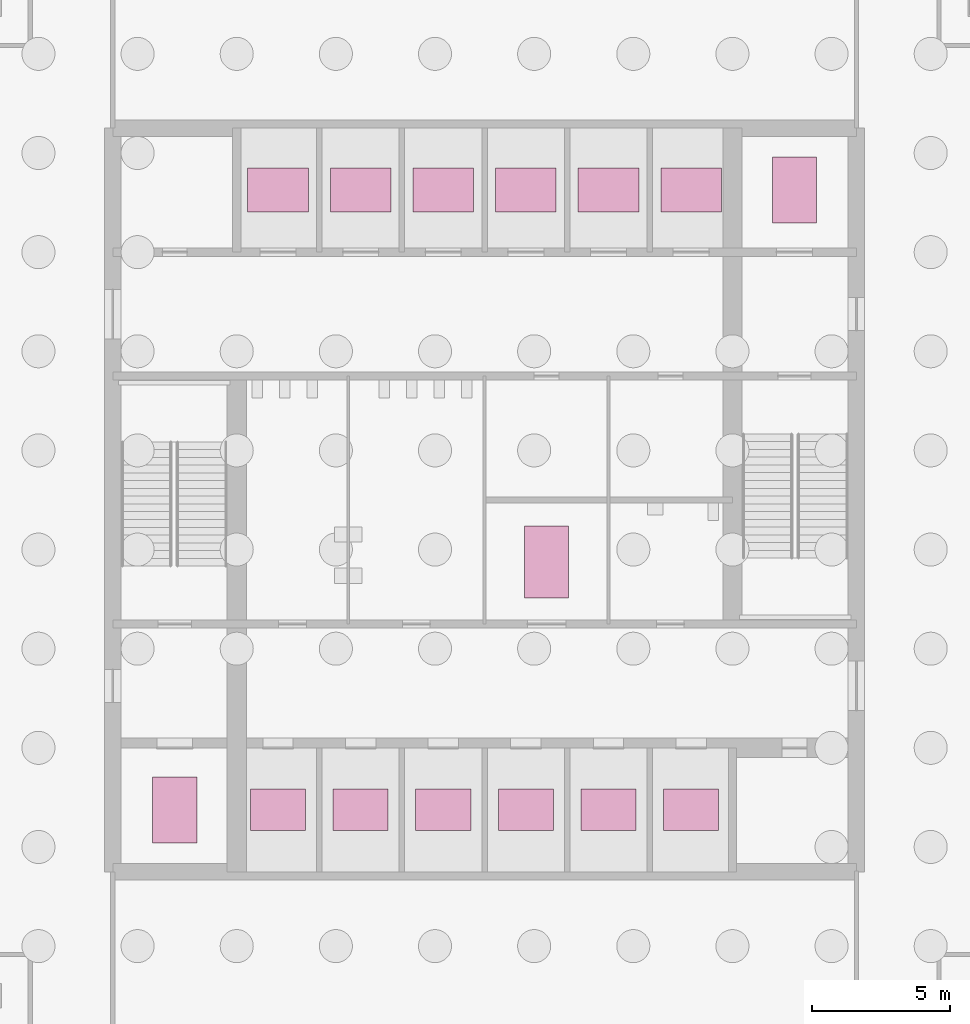
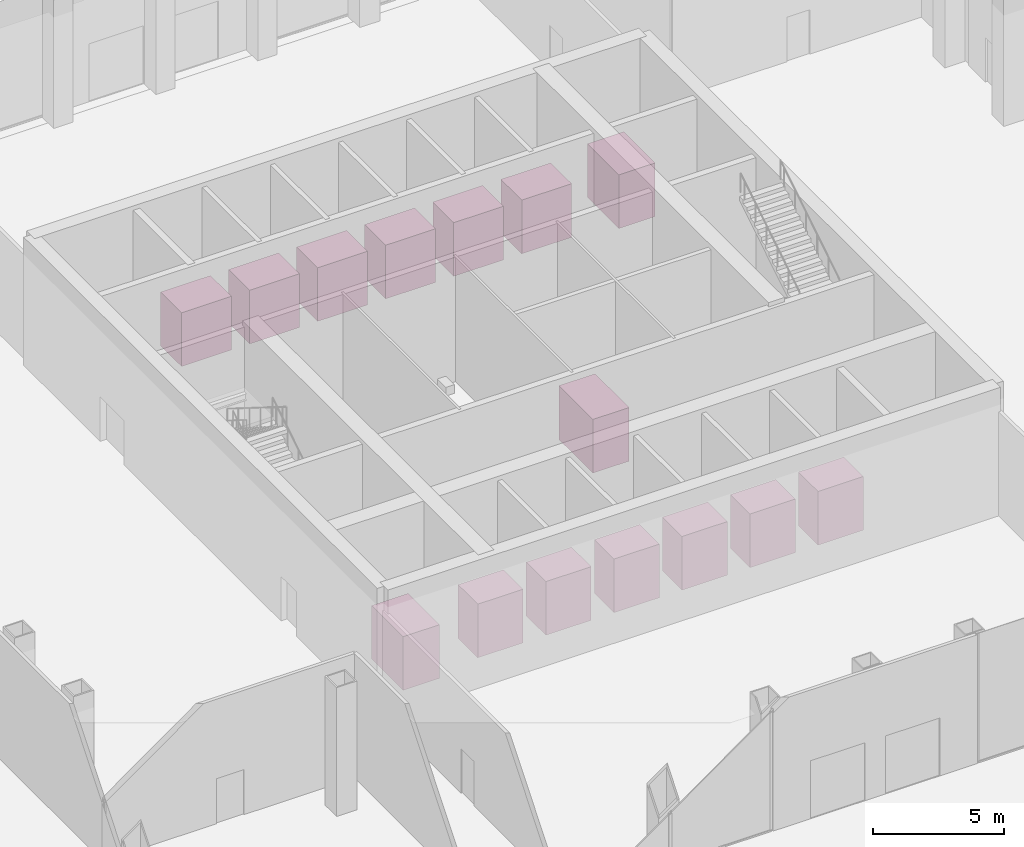
# One storey, part 24 of 24: 15 transport elements.
"""IFC4 building model written with IfcOpenShell, lengths in metres."""

import ifcopenshell
import ifcopenshell.guid

model = None  # the IFC model being written
_history = None  # IfcOwnerHistory: only IFC2X3 demands one
_inside = {}  # id of a spatial element -> (the spatial element, [elements in it])
_under = {}  # id of a project, library or spatial element -> (it, [spatial elements below it])
_declared = {}  # id of a project -> (the project, [libraries it declares])
_typed = {}  # id of a type object -> (the type object, [elements of that type])
_made_of = {}  # id of a material, layer set ... -> (it, [elements and type objects made of it])


def new_model(schema):
    """Start an empty IFC model of exactly this schema.

    Asked for "IFC4X3", IfcOpenShell would pick the latest addendum, in which some entities
    have other attributes; the version numbers below select the first issue.
    IFC2X3 requires an IfcOwnerHistory on every rooted entity: one is made here for all.
    """
    global model, _history
    if schema == "IFC4X3":
        model = ifcopenshell.file(schema_version=(4, 3, 0, 0))
    else:
        model = ifcopenshell.file(schema=schema)
    _inside.clear()
    _under.clear()
    _declared.clear()
    _typed.clear()
    _made_of.clear()
    _history = None
    if model.schema == "IFC2X3":
        org = make("IfcOrganization", Name="unknown")
        user = make(
            "IfcPersonAndOrganization",
            ThePerson=make("IfcPerson", FamilyName="unknown"),
            TheOrganization=org,
        )
        app = make(
            "IfcApplication",
            ApplicationDeveloper=org,
            Version="unknown",
            ApplicationFullName="unknown",
            ApplicationIdentifier="unknown",
        )
        _history = make(
            "IfcOwnerHistory",
            OwningUser=user,
            OwningApplication=app,
            ChangeAction="ADDED",
            CreationDate=0,
        )
    return model


def make(cls, **values):
    """One entity of the class cls with the attributes given. An attribute that is None is left unset."""
    return model.create_entity(
        cls, **{name: value for name, value in values.items() if value is not None}
    )


def rooted(cls, **values):
    """An entity with a GlobalId (a new one), such as an element, a storey or a relation."""
    return make(cls, GlobalId=ifcopenshell.guid.new(), OwnerHistory=_history, **values)


def si_unit(unit_type, name, prefix=None):
    """IfcSIUnit, for example si_unit("LENGTHUNIT", "METRE", prefix="MILLI")."""
    return make("IfcSIUnit", UnitType=unit_type, Prefix=prefix, Name=name)


def assignment(units):
    """IfcUnitAssignment: the units of a project."""
    return None if units is None else make("IfcUnitAssignment", Units=units)


def point(xyz):
    """IfcCartesianPoint."""
    return None if xyz is None else make("IfcCartesianPoint", Coordinates=xyz)


def direction(xyz):
    """IfcDirection."""
    return None if xyz is None else make("IfcDirection", DirectionRatios=xyz)


def frame(location, z_axis=None, x_axis=None):
    """IfcAxis2Placement3D, a coordinate frame: its origin and axes. An axis left out is left unset."""
    return make(
        "IfcAxis2Placement3D",
        Location=point(location),
        Axis=direction(z_axis),
        RefDirection=direction(x_axis),
    )


def frame_2d(location, x_axis=None):
    """IfcAxis2Placement2D, a coordinate frame in the plane: its origin and x axis."""
    return make(
        "IfcAxis2Placement2D", Location=point(location), RefDirection=direction(x_axis)
    )


def origin():
    """The frame at (0, 0, 0) with its axes left unset."""
    return frame((0.0, 0.0, 0.0))


def origin_2d():
    """The frame at (0, 0) in the plane with its x axis left unset."""
    return frame_2d((0.0, 0.0))


def place(relative_to, where):
    """IfcLocalPlacement: puts the frame where relative to a parent placement (None: the world)."""
    return make(
        "IfcLocalPlacement", PlacementRelTo=relative_to, RelativePlacement=where
    )


def context(
    kind, dimensions, precision=None, world=None, true_north=None, identifier=None
):
    """IfcGeometricRepresentationContext, for example the 3D "Model" context."""
    return make(
        "IfcGeometricRepresentationContext",
        ContextIdentifier=identifier,
        ContextType=kind,
        CoordinateSpaceDimension=dimensions,
        Precision=precision,
        WorldCoordinateSystem=world,
        TrueNorth=true_north,
    )


def subcontext(parent, identifier, kind, view, scale=None):
    """IfcGeometricRepresentationSubContext, for example "Body" below "Model"."""
    return make(
        "IfcGeometricRepresentationSubContext",
        ContextIdentifier=identifier,
        ContextType=kind,
        ParentContext=parent,
        TargetScale=scale,
        TargetView=view,
    )


def project(units=None, contexts=None):
    """IfcProject with its units and contexts."""
    return rooted(
        "IfcProject",
        Name="project",
        RepresentationContexts=contexts,
        UnitsInContext=assignment(units),
    )


def spatial(cls, under=None, at=None, **own):
    """A site, building, storey or space (cls), placed at a placement, below another one or the project."""
    s = rooted(cls, ObjectPlacement=at, **own)
    if under is not None:
        _under.setdefault(under.id(), (under, []))[1].append(s)
    return s


def profile(cls, at=None, kind="AREA", **sizes):
    """A parametric profile (cls). Its sizes go by their IFC names, for example OverallWidth=200.0."""
    return make(cls, ProfileType=kind, Position=at, **sizes)


def rectangle(**sizes):
    """IfcRectangleProfileDef."""
    return profile("IfcRectangleProfileDef", **sizes)


def extrude(swept, where, along, depth):
    """IfcExtrudedAreaSolid: the profile swept, set in the frame where, extruded along a direction by depth."""
    return make(
        "IfcExtrudedAreaSolid",
        SweptArea=swept,
        Position=where,
        ExtrudedDirection=direction(along),
        Depth=depth,
    )


def shape(context_of_items, identifier, shape_type, items):
    """IfcShapeRepresentation: the items that make up one representation, for example the "Body"."""
    return make(
        "IfcShapeRepresentation",
        ContextOfItems=context_of_items,
        RepresentationIdentifier=identifier,
        RepresentationType=shape_type,
        Items=items,
    )


def material(Name=None, Category=None):
    """IfcMaterial."""
    return make("IfcMaterial", Name=Name, Category=Category)


def made_of(thing, what):
    """Note that an element or type object is made of a material, layer set ...; save() writes the relation."""
    if what is not None:
        _made_of.setdefault(what.id(), (what, []))[1].append(thing)
    return thing


def type_object(cls, material=None, **own):
    """A type object (cls), such as IfcWallType, which elements share."""
    return made_of(rooted(cls, **own), material)


def element(
    cls,
    number,
    at=None,
    inside=None,
    cuts=None,
    type_object=None,
    material=None,
    context=None,
    identifier="Body",
    shape_type=None,
    held_by="IfcProductDefinitionShape",
    body=None,
    shapes=None,
    **own,
):
    """One element of the class cls, such as IfcWall. Its Tag is "e" and its number.

    at: its placement. inside: the storey or other place that contains it. cuts: it is an
    opening in that element (IfcRelVoidsElement). A single representation is given by context,
    identifier, shape_type and body (its items); several are given by shapes. held_by: the class
    of the entity that holds the representations. save() writes the other relations.
    """
    e = rooted(cls, Tag="e%d" % number, ObjectPlacement=at, **own)
    if body is not None:
        shapes = [shape(context, identifier, shape_type, body)]
    if shapes is not None:
        e.Representation = make(held_by, Representations=shapes)
    if inside is not None:
        _inside.setdefault(inside.id(), (inside, []))[1].append(e)
    if cuts is not None:
        rooted(
            "IfcRelVoidsElement", RelatingBuildingElement=cuts, RelatedOpeningElement=e
        )
    if type_object is not None:
        _typed.setdefault(type_object.id(), (type_object, []))[1].append(e)
    return made_of(e, material)


def aggregate(whole, parts):
    """IfcRelAggregates: a whole, such as a stair, and the parts it consists of."""
    return rooted("IfcRelAggregates", RelatingObject=whole, RelatedObjects=parts)


def save(model, path):
    """Write the relations noted so far, then the file.

    IfcRelAggregates (storeys below a building ...), IfcRelContainedInSpatialStructure (elements
    in a storey), IfcRelDefinesByType, IfcRelAssociatesMaterial and IfcRelDeclares: one each for
    every whole, place, type object, material and project.
    """
    for whole, parts in _under.values():
        aggregate(whole, parts)
    for where, things in _inside.values():
        rooted(
            "IfcRelContainedInSpatialStructure",
            RelatedElements=things,
            RelatingStructure=where,
        )
    for kind, things in _typed.values():
        rooted("IfcRelDefinesByType", RelatedObjects=things, RelatingType=kind)
    for what, things in _made_of.values():
        rooted("IfcRelAssociatesMaterial", RelatedObjects=things, RelatingMaterial=what)
    for by, libraries in _declared.values():
        rooted("IfcRelDeclares", RelatingContext=by, RelatedDefinitions=libraries)
    model.write(path)


model = new_model("IFC4")

# Units and contexts
model_context = context("Model", 3, precision=1e-05, world=origin(), true_north=direction((0.0, 1.0)))
body_context = subcontext(model_context, "Body", "Model", "MODEL_VIEW")
ifc_project = project(units=[si_unit("LENGTHUNIT", "METRE"), si_unit("AREAUNIT", "SQUARE_METRE"), si_unit("VOLUMEUNIT", "CUBIC_METRE"), si_unit("PLANEANGLEUNIT", "RADIAN"), si_unit("MASSUNIT", "GRAM", prefix="KILO")], contexts=[model_context])

# Site, building, storey
site_placement = place(None, origin())
site = spatial("IfcSite", under=ifc_project, at=site_placement, CompositionType="ELEMENT")
building_placement = place(site_placement, origin())
building = spatial("IfcBuilding", under=site, at=building_placement, Name="Corais Broadcast Tower", CompositionType="ELEMENT")
storey_placement = place(building_placement, origin())
storey = spatial("IfcBuildingStorey", under=building, at=storey_placement, Name="L00", CompositionType="ELEMENT", Elevation=0.0)

# Transport elements
ifc_material_1 = material(Name="Stainless steel lift car", Category="steel")
transport_element_type_1 = type_object("IfcTransportElementType", Name="Lift car 1600x2400", PredefinedType="ELEVATOR", material=ifc_material_1)
for number, where, z_axis, x_axis, name in (
    (1, (15.75, 15.75, 0.0), (0.0, 0.0, 1.0), (1.0, 0.0, 0.0), "Firefighting lift FL1"),
    (2, (38.25, 38.25, 0.0), (0.0, 0.0, 1.0), (1.0, 0.0, 0.0), "Firefighting lift FL2"),
):
    element("IfcTransportElement", number, at=place(storey_placement, frame(where, z_axis=z_axis, x_axis=x_axis)), inside=storey, type_object=transport_element_type_1, Name=name, PredefinedType="ELEVATOR", context=body_context, shape_type="SweptSolid", body=[
        extrude(rectangle(XDim=1.60009765625, YDim=2.39990234375, at=origin_2d()), origin(), (0.0, 0.0, 1.0), 2.5),
    ])
ifc_material_2 = material(Name="Stainless steel lift car", Category="steel")
transport_element_type_2 = type_object("IfcTransportElementType", Name="Lift car 1600x2600", PredefinedType="ELEVATOR", material=ifc_material_2)
transport_element_placement = place(storey_placement, frame((29.25, 24.75, 0.0), z_axis=(0.0, 0.0, 1.0), x_axis=(1.0, 0.0, 0.0)))
element("IfcTransportElement", 3, at=transport_element_placement, inside=storey, type_object=transport_element_type_2, Name="Lift SL1", PredefinedType="ELEVATOR", context=body_context, shape_type="SweptSolid", body=[
    extrude(rectangle(XDim=1.60009765625, YDim=2.60009765625, at=origin_2d()), origin(), (0.0, 0.0, 1.0), 2.5),
])
ifc_material_3 = material(Name="Stainless steel lift car", Category="steel")
transport_element_type_3 = type_object("IfcTransportElementType", Name="Lift car 2000x1500", PredefinedType="ELEVATOR", material=ifc_material_3)
for number, where, z_axis, x_axis, name in (
    (4, (19.5, 15.75, 0.0), (0.0, 0.0, 1.0), (1.0, 0.0, 0.0), "Lift PL1"),
    (5, (22.5, 15.75, 0.0), (0.0, 0.0, 1.0), (1.0, 0.0, 0.0), "Lift PL2"),
    (6, (25.5, 15.75, 0.0), (0.0, 0.0, 1.0), (1.0, 0.0, 0.0), "Lift PL3"),
    (7, (28.5, 15.75, 0.0), (0.0, 0.0, 1.0), (1.0, 0.0, 0.0), "Lift PL4"),
    (8, (31.5, 15.75, 0.0), (0.0, 0.0, 1.0), (1.0, 0.0, 0.0), "Lift PL5"),
    (9, (34.5, 15.75, 0.0), (0.0, 0.0, 1.0), (1.0, 0.0, 0.0), "Lift PL6"),
):
    element("IfcTransportElement", number, at=place(storey_placement, frame(where, z_axis=z_axis, x_axis=x_axis)), inside=storey, type_object=transport_element_type_3, Name=name, PredefinedType="ELEVATOR", context=body_context, shape_type="SweptSolid", body=[
        extrude(rectangle(XDim=2.0, YDim=1.5, at=origin_2d()), origin(), (0.0, 0.0, 1.0), 2.5),
    ])
ifc_material_4 = material(Name="Stainless steel lift car", Category="steel")
transport_element_type_4 = type_object("IfcTransportElementType", Name="Lift car 2200x1600", PredefinedType="ELEVATOR", material=ifc_material_4)
for number, where, z_axis, x_axis, name in (
    (10, (19.5, 38.25, 0.0), (0.0, 0.0, 1.0), (1.0, 0.0, 0.0), "Lift SH1"),
    (11, (28.5, 38.25, 0.0), (0.0, 0.0, 1.0), (1.0, 0.0, 0.0), "Lift SH4"),
    (12, (22.5, 38.25, 0.0), (0.0, 0.0, 1.0), (1.0, 0.0, 0.0), "Lift SH2"),
    (13, (31.5, 38.25, 0.0), (0.0, 0.0, 1.0), (1.0, 0.0, 0.0), "Lift SH5"),
    (14, (25.5, 38.25, 0.0), (0.0, 0.0, 1.0), (1.0, 0.0, 0.0), "Lift SH3"),
    (15, (34.5, 38.25, 0.0), (0.0, 0.0, 1.0), (1.0, 0.0, 0.0), "Lift SH6"),
):
    element("IfcTransportElement", number, at=place(storey_placement, frame(where, z_axis=z_axis, x_axis=x_axis)), inside=storey, type_object=transport_element_type_4, Name=name, PredefinedType="ELEVATOR", context=body_context, shape_type="SweptSolid", body=[
        extrude(rectangle(XDim=2.199951171875, YDim=1.60009765625, at=origin_2d()), origin(), (0.0, 0.0, 1.0), 2.5),
    ])

save(model, "model.ifc")
